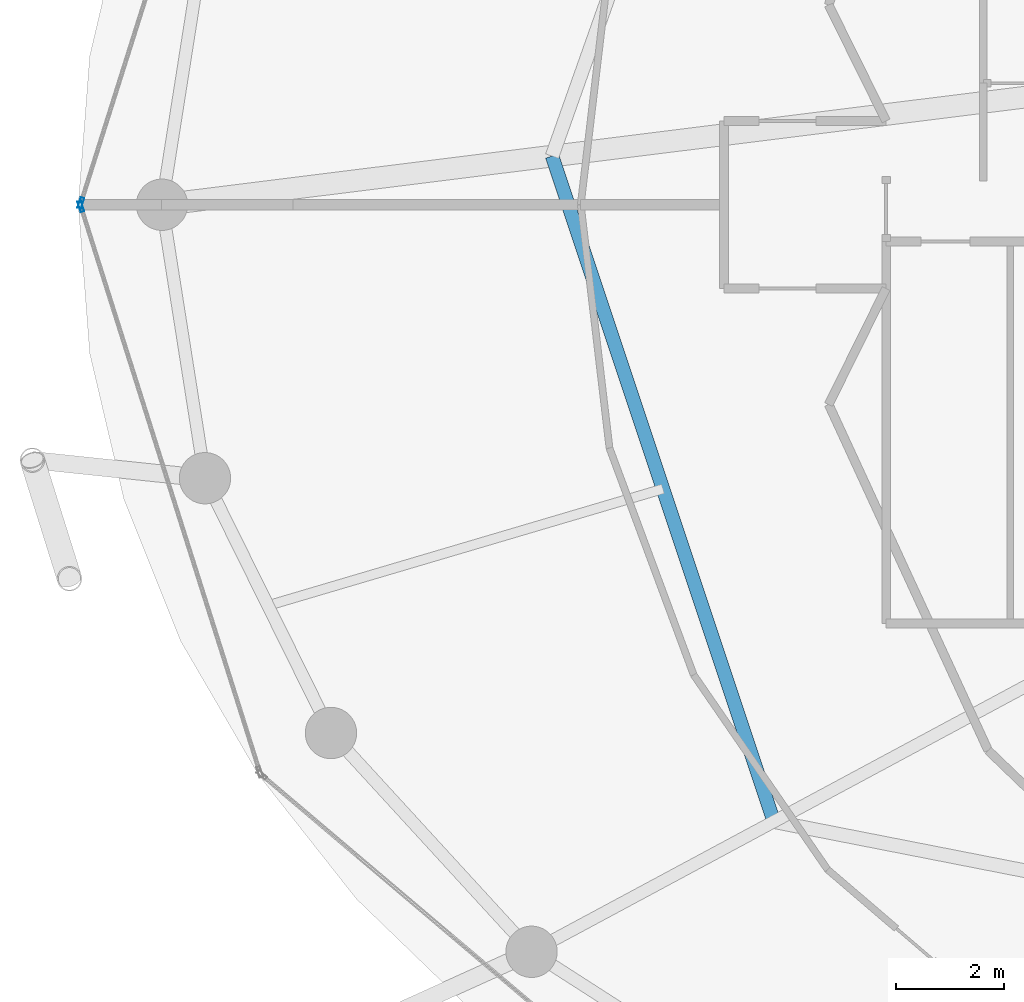
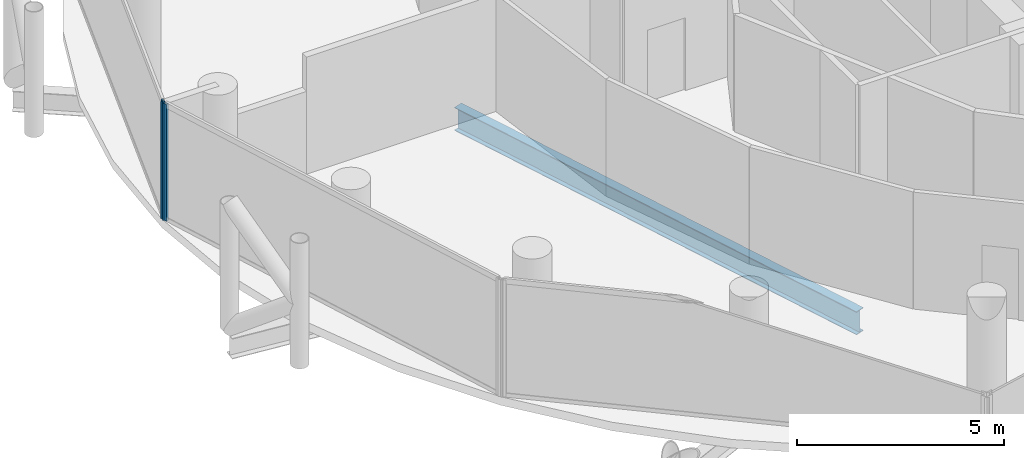
# One storey, part 6 of 26: 2 members, 1 beam, 2 elements without a shape of their own.
"""IFC4 building model written with IfcOpenShell, lengths in metres."""

from ifc_helpers import new_model, si_unit, direction, frame, origin, origin_2d, place, context, subcontext, project, spatial, hollow_rectangle, i_section, extrude, material, layer, layer_set, material_profile, profile_set, type_object, element, aggregate, save


model = new_model("IFC4")

# Units and contexts
model_context = context("Model", 3, precision=1e-05, world=origin(), true_north=direction((0.0, 1.0)))
body_context = subcontext(model_context, "Body", "Model", "MODEL_VIEW")
ifc_project = project(units=[si_unit("LENGTHUNIT", "METRE"), si_unit("AREAUNIT", "SQUARE_METRE"), si_unit("VOLUMEUNIT", "CUBIC_METRE"), si_unit("PLANEANGLEUNIT", "RADIAN"), si_unit("MASSUNIT", "GRAM", prefix="KILO")], contexts=[model_context])

# Site, building, storey
site_placement = place(None, origin())
site = spatial("IfcSite", under=ifc_project, at=site_placement, CompositionType="ELEMENT")
building_placement = place(site_placement, origin())
building = spatial("IfcBuilding", under=site, at=building_placement, Name="Nuhasar Tower", CompositionType="ELEMENT")
storey_placement = place(building_placement, frame((0.0, 0.0, 177.449951171875)))
storey = spatial("IfcBuildingStorey", under=building, at=storey_placement, Name="L43", CompositionType="ELEMENT", Elevation=177.449951171875)

# Beam
ifc_material_1 = material(Name="Steel S355", Category="steel")
ifc_material_profile_1 = material_profile(ifc_material_1, i_section(OverallWidth=0.25390625, OverallDepth=0.68408203125, WebThickness=0.012451171875, FlangeThickness=0.018798828125, at=origin_2d()), Name="W27X94")
ifc_profile_set_1 = profile_set([ifc_material_profile_1], Name="Steel S355")
beam_type = type_object("IfcBeamType", Name="BM-INRING-W27X94", PredefinedType="BEAM", material=ifc_profile_set_1)
beam_placement = place(storey_placement, frame((22.8701171875, 27.699951171875, -0.592041015625), z_axis=(0.31609797573, -0.948726551615, 0.0), x_axis=(0.948726551615, 0.31609797573, 0.0)))
element("IfcBeam", 1, at=beam_placement, inside=storey, type_object=beam_type, Name="L43 Inner Header Beam 08", PredefinedType="BEAM", context=body_context, shape_type="SweptSolid", body=[
    extrude(i_section(OverallWidth=0.25390625, OverallDepth=0.68408203125, WebThickness=0.012451171875, FlangeThickness=0.018798828125, at=origin_2d()), origin(), (0.0, 0.0, 1.0), 12.9794921875),
])

# Curtain wall, member
ifc_material_2 = material(Name="Aluminium 6063-T6", Category="aluminium")
ifc_layer = layer(ifc_material_2, 0.199951171875)
ifc_layer_set = layer_set([ifc_layer], Name="Aluminium 6063-T6")
curtain_wall_type = type_object("IfcCurtainWallType", Name="CW-Z2-HTL", PredefinedType="NOTDEFINED", material=ifc_layer_set)
curtain_wall_1_placement = place(storey_placement, origin())
curtain_wall_1 = element("IfcCurtainWall", 2, at=curtain_wall_1_placement, inside=storey, type_object=curtain_wall_type, Name="L43 Unitised Curtain Wall 06", PredefinedType="NOTDEFINED")
ifc_material_profile_2 = material_profile(ifc_material_2, hollow_rectangle(XDim=0.070068359375, YDim=0.199951171875, WallThickness=0.0048828125, at=origin_2d()), Name="CWM-3")
ifc_profile_set_2 = profile_set([ifc_material_profile_2], Name="Aluminium 6063-T6")
member_type = type_object("IfcMemberType", Name="CW-MUL-S3", PredefinedType="MULLION", material=ifc_profile_set_2)
member_1_placement = place(storey_placement, frame((14.150634765625, 26.833251953125, 0.0), z_axis=(0.0, 0.0, 1.0), x_axis=(0.953433389233, -0.301603667577, 0.0)))
member_1 = element("IfcMember", 3, at=member_1_placement, type_object=member_type, Name="CW-Z2 mullion 2", PredefinedType="MULLION", context=body_context, shape_type="SweptSolid", body=[
    extrude(hollow_rectangle(XDim=0.070068359375, YDim=0.199951171875, WallThickness=0.0048828125, at=origin_2d()), origin(), (0.0, 0.0, 1.0), 3.449951171875),
])
aggregate(curtain_wall_1, [member_1])

curtain_wall_2_placement = place(storey_placement, origin())
curtain_wall_2 = element("IfcCurtainWall", 4, at=curtain_wall_2_placement, inside=storey, type_object=curtain_wall_type, Name="L43 Unitised Curtain Wall 07", PredefinedType="NOTDEFINED")
member_2_placement = place(storey_placement, frame((14.150634765625, 26.7666015625, 0.0), z_axis=(0.0, 0.0, 1.0), x_axis=(0.953433389233, 0.301603667577, 0.0)))
member_2 = element("IfcMember", 5, at=member_2_placement, type_object=member_type, Name="CW-Z2 mullion 1", PredefinedType="MULLION", context=body_context, shape_type="SweptSolid", body=[
    extrude(hollow_rectangle(XDim=0.070068359375, YDim=0.199951171875, WallThickness=0.0048828125, at=origin_2d()), origin(), (0.0, 0.0, 1.0), 3.449951171875),
])
aggregate(curtain_wall_2, [member_2])

save(model, "model.ifc")
